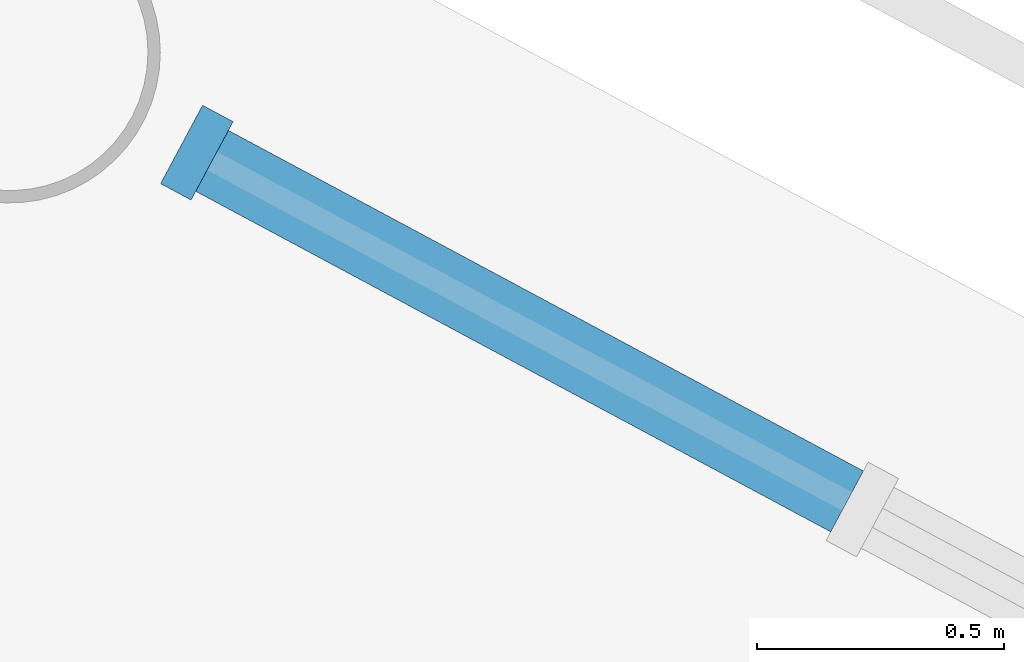
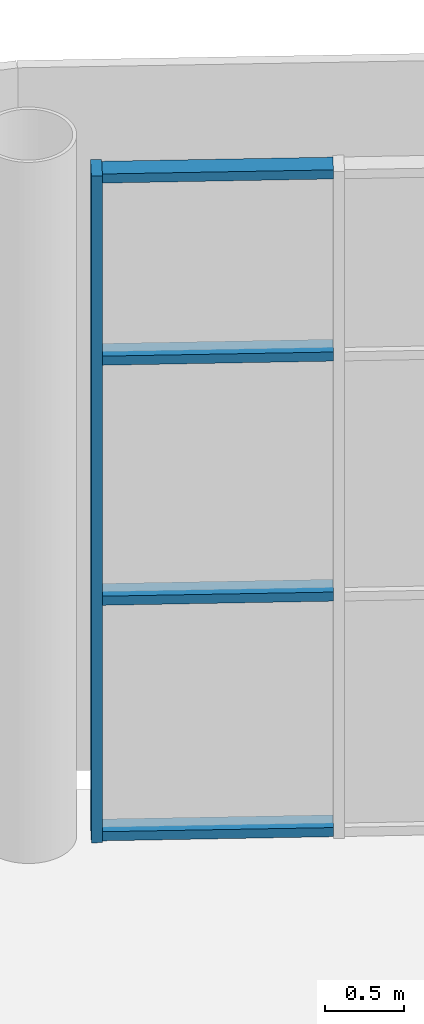
# One storey, part 20 of 40: 5 members, 1 element without a shape of its own.
"""IFC4 building model written with IfcOpenShell, lengths in metres."""

from ifc_helpers import new_model, si_unit, direction, frame, origin, origin_2d, place, context, subcontext, project, spatial, rectangle, extrude, material, material_profile, profile_set, type_object, element, aggregate, save


model = new_model("IFC4")

# Units and contexts
model_context = context("Model", 3, precision=1e-05, world=origin(), true_north=direction((0.0, 1.0)))
body_context = subcontext(model_context, "Body", "Model", "MODEL_VIEW")
ifc_project = project(units=[si_unit("LENGTHUNIT", "METRE"), si_unit("AREAUNIT", "SQUARE_METRE"), si_unit("VOLUMEUNIT", "CUBIC_METRE"), si_unit("PLANEANGLEUNIT", "RADIAN"), si_unit("MASSUNIT", "GRAM", prefix="KILO")], contexts=[model_context])

# Site, building, storey
site_placement = place(None, origin())
site = spatial("IfcSite", under=ifc_project, at=site_placement, CompositionType="ELEMENT")
building_placement = place(site_placement, origin())
building = spatial("IfcBuilding", under=site, at=building_placement, Name="Cuetzalor Civic Arena", CompositionType="ELEMENT")
storey_placement = place(building_placement, frame((0.0, 0.0, 26.39990234375)))
storey = spatial("IfcBuildingStorey", under=building, at=storey_placement, Name="L05", CompositionType="ELEMENT", Elevation=26.39990234375)

# Curtain wall, members
ifc_material_1 = material(Name="Anodised dark bronze aluminium and low-E solar glass", Category="aluminium")
curtain_wall_type = type_object("IfcCurtainWallType", Name="UnitisedCW_10950x5150", PredefinedType="USERDEFINED", material=ifc_material_1)
curtain_wall_placement = place(storey_placement, origin())
curtain_wall = element("IfcCurtainWall", 1, at=curtain_wall_placement, inside=storey, type_object=curtain_wall_type, Name="Drum Triangle Foyer Curtain Wall L05-070", ObjectType="UNITISED CURTAIN WALL", PredefinedType="USERDEFINED")
ifc_material_2 = material(Name="Anodised dark bronze aluminium", Category="aluminium")
ifc_material_profile_1 = material_profile(ifc_material_2, rectangle(XDim=0.070068359375, YDim=0.179931640625, at=origin_2d()), Name="ALU MULLION 70x180")
ifc_profile_set_1 = profile_set([ifc_material_profile_1], Name="Anodised dark bronze aluminium")
member_type_1 = type_object("IfcMemberType", Name="CurtainWallMullion_65x180", PredefinedType="MULLION", material=ifc_profile_set_1)
member_1_placement = place(storey_placement, frame((24.04736328125, 41.737060546875, 0.0), z_axis=(0.0, 0.0, 1.0), x_axis=(0.881306344124, -0.472545371163, 0.0)))
member_1 = element("IfcMember", 2, at=member_1_placement, type_object=member_type_1, Name="CW-19 mullion 1", PredefinedType="MULLION", context=body_context, shape_type="SweptSolid", body=[
    extrude(rectangle(XDim=0.070068359375, YDim=0.179931640625, at=origin_2d()), origin(), (0.0, 0.0, 1.0), 5.135986328125),
])
ifc_material_3 = material(Name="Anodised dark bronze aluminium", Category="aluminium")
ifc_material_profile_2 = material_profile(ifc_material_3, rectangle(XDim=0.139892578125, YDim=0.070068359375, at=origin_2d()), Name="ALU TRANSOM 70x140")
ifc_profile_set_2 = profile_set([ifc_material_profile_2], Name="Anodised dark bronze aluminium")
member_type_2 = type_object("IfcMemberType", Name="CurtainWallTransom_65x140", PredefinedType="USERDEFINED", material=ifc_profile_set_2)
member_2_placement = place(storey_placement, frame((24.078125, 41.720458984375, 0.03515625), z_axis=(0.881275880815, -0.472602181432, 0.0), x_axis=(0.472602181432, 0.881275880815, 0.0)))
member_2 = element("IfcMember", 3, at=member_2_placement, type_object=member_type_2, Name="CW-19 transom 1.1", ObjectType="TRANSOM", PredefinedType="USERDEFINED", context=body_context, shape_type="SweptSolid", body=[
    extrude(rectangle(XDim=0.139892578125, YDim=0.070068359375, at=origin_2d()), origin(), (0.0, 0.0, 1.0), 1.458740234375),
])
member_3_placement = place(storey_placement, frame((24.078125, 41.720458984375, 1.84912109375), z_axis=(0.881275880815, -0.472602181432, 0.0), x_axis=(0.472602181432, 0.881275880815, 0.0)))
member_3 = element("IfcMember", 4, at=member_3_placement, type_object=member_type_2, Name="CW-19 transom 1.2", ObjectType="TRANSOM", PredefinedType="USERDEFINED", context=body_context, shape_type="SweptSolid", body=[
    extrude(rectangle(XDim=0.139892578125, YDim=0.070068359375, at=origin_2d()), origin(), (0.0, 0.0, 1.0), 1.458740234375),
])
member_4_placement = place(storey_placement, frame((24.078125, 41.720458984375, 3.697998046875), z_axis=(0.881275880815, -0.472602181432, 0.0), x_axis=(0.472602181432, 0.881275880815, 0.0)))
member_4 = element("IfcMember", 5, at=member_4_placement, type_object=member_type_2, Name="CW-19 transom 1.3", ObjectType="TRANSOM", PredefinedType="USERDEFINED", context=body_context, shape_type="SweptSolid", body=[
    extrude(rectangle(XDim=0.139892578125, YDim=0.070068359375, at=origin_2d()), origin(), (0.0, 0.0, 1.0), 1.458740234375),
])
member_5_placement = place(storey_placement, frame((24.078125, 41.720458984375, 5.10107421875), z_axis=(0.881275880815, -0.472602181432, 0.0), x_axis=(0.472602181432, 0.881275880815, 0.0)))
member_5 = element("IfcMember", 6, at=member_5_placement, type_object=member_type_2, Name="CW-19 transom 1.4", ObjectType="TRANSOM", PredefinedType="USERDEFINED", context=body_context, shape_type="SweptSolid", body=[
    extrude(rectangle(XDim=0.139892578125, YDim=0.070068359375, at=origin_2d()), origin(), (0.0, 0.0, 1.0), 1.458740234375),
])
aggregate(curtain_wall, [member_1, member_2, member_3, member_4, member_5])

save(model, "model.ifc")
